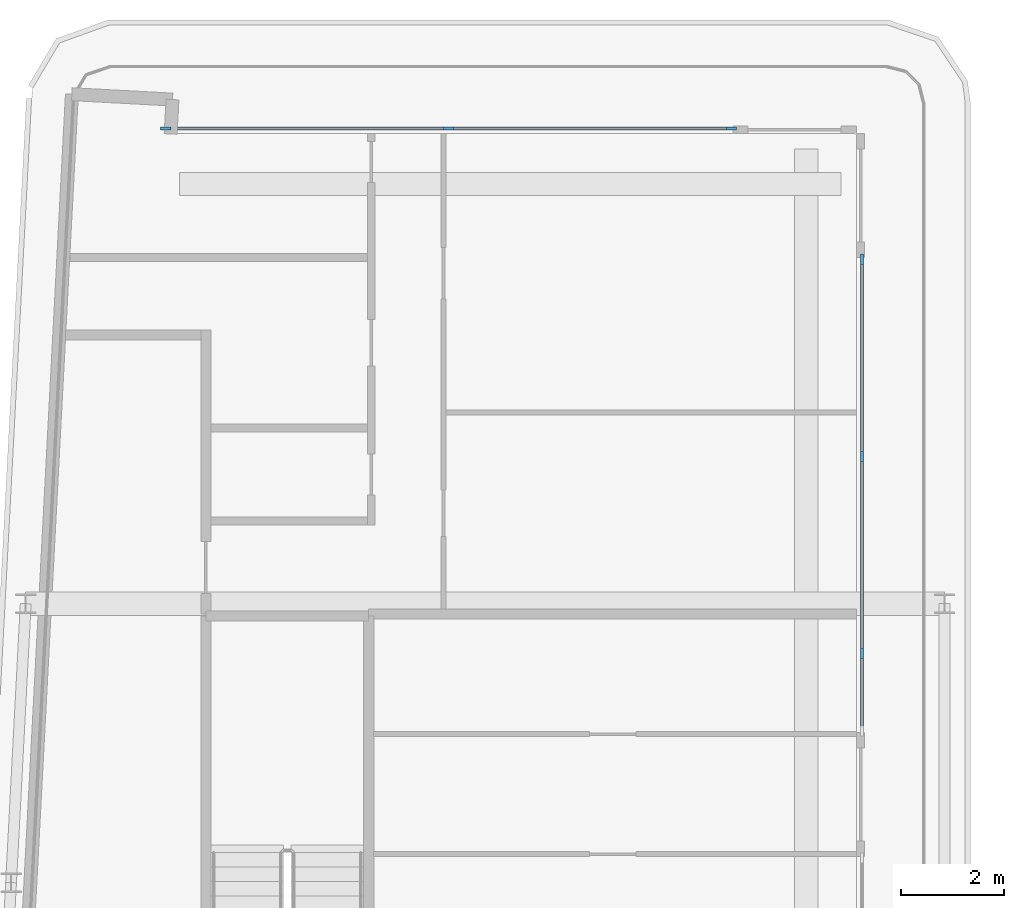
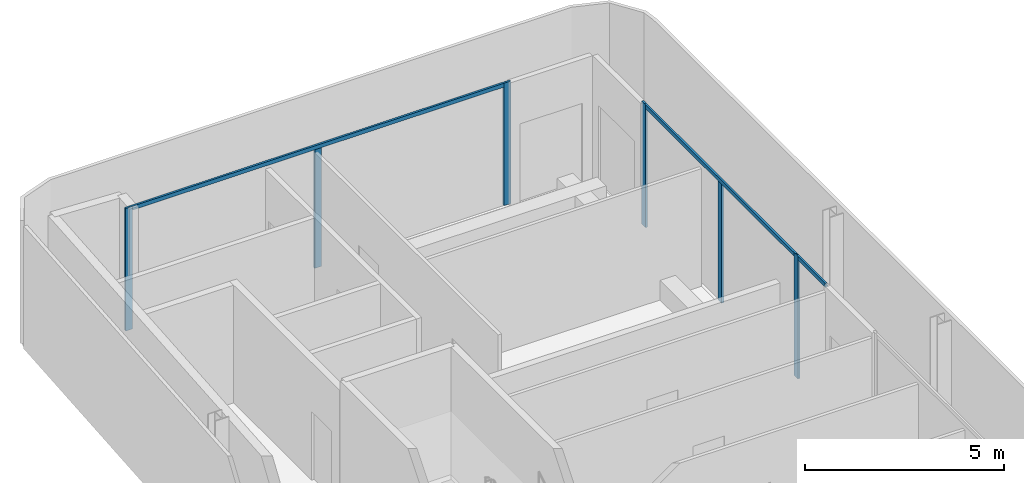
# One storey, part 8 of 20: 9 members, 3 elements without a shape of their own.
"""IFC4 building model written with IfcOpenShell, lengths in metres."""

import ifcopenshell
import ifcopenshell.guid

model = None  # the IFC model being written
_history = None  # IfcOwnerHistory: only IFC2X3 demands one
_inside = {}  # id of a spatial element -> (the spatial element, [elements in it])
_under = {}  # id of a project, library or spatial element -> (it, [spatial elements below it])
_declared = {}  # id of a project -> (the project, [libraries it declares])
_typed = {}  # id of a type object -> (the type object, [elements of that type])
_made_of = {}  # id of a material, layer set ... -> (it, [elements and type objects made of it])


def new_model(schema):
    """Start an empty IFC model of exactly this schema.

    Asked for "IFC4X3", IfcOpenShell would pick the latest addendum, in which some entities
    have other attributes; the version numbers below select the first issue.
    IFC2X3 requires an IfcOwnerHistory on every rooted entity: one is made here for all.
    """
    global model, _history
    if schema == "IFC4X3":
        model = ifcopenshell.file(schema_version=(4, 3, 0, 0))
    else:
        model = ifcopenshell.file(schema=schema)
    _inside.clear()
    _under.clear()
    _declared.clear()
    _typed.clear()
    _made_of.clear()
    _history = None
    if model.schema == "IFC2X3":
        org = make("IfcOrganization", Name="unknown")
        user = make(
            "IfcPersonAndOrganization",
            ThePerson=make("IfcPerson", FamilyName="unknown"),
            TheOrganization=org,
        )
        app = make(
            "IfcApplication",
            ApplicationDeveloper=org,
            Version="unknown",
            ApplicationFullName="unknown",
            ApplicationIdentifier="unknown",
        )
        _history = make(
            "IfcOwnerHistory",
            OwningUser=user,
            OwningApplication=app,
            ChangeAction="ADDED",
            CreationDate=0,
        )
    return model


def make(cls, **values):
    """One entity of the class cls with the attributes given. An attribute that is None is left unset."""
    return model.create_entity(
        cls, **{name: value for name, value in values.items() if value is not None}
    )


def rooted(cls, **values):
    """An entity with a GlobalId (a new one), such as an element, a storey or a relation."""
    return make(cls, GlobalId=ifcopenshell.guid.new(), OwnerHistory=_history, **values)


def si_unit(unit_type, name, prefix=None):
    """IfcSIUnit, for example si_unit("LENGTHUNIT", "METRE", prefix="MILLI")."""
    return make("IfcSIUnit", UnitType=unit_type, Prefix=prefix, Name=name)


def assignment(units):
    """IfcUnitAssignment: the units of a project."""
    return None if units is None else make("IfcUnitAssignment", Units=units)


def point(xyz):
    """IfcCartesianPoint."""
    return None if xyz is None else make("IfcCartesianPoint", Coordinates=xyz)


def direction(xyz):
    """IfcDirection."""
    return None if xyz is None else make("IfcDirection", DirectionRatios=xyz)


def frame(location, z_axis=None, x_axis=None):
    """IfcAxis2Placement3D, a coordinate frame: its origin and axes. An axis left out is left unset."""
    return make(
        "IfcAxis2Placement3D",
        Location=point(location),
        Axis=direction(z_axis),
        RefDirection=direction(x_axis),
    )


def frame_2d(location, x_axis=None):
    """IfcAxis2Placement2D, a coordinate frame in the plane: its origin and x axis."""
    return make(
        "IfcAxis2Placement2D", Location=point(location), RefDirection=direction(x_axis)
    )


def origin():
    """The frame at (0, 0, 0) with its axes left unset."""
    return frame((0.0, 0.0, 0.0))


def origin_2d():
    """The frame at (0, 0) in the plane with its x axis left unset."""
    return frame_2d((0.0, 0.0))


def place(relative_to, where):
    """IfcLocalPlacement: puts the frame where relative to a parent placement (None: the world)."""
    return make(
        "IfcLocalPlacement", PlacementRelTo=relative_to, RelativePlacement=where
    )


def context(
    kind, dimensions, precision=None, world=None, true_north=None, identifier=None
):
    """IfcGeometricRepresentationContext, for example the 3D "Model" context."""
    return make(
        "IfcGeometricRepresentationContext",
        ContextIdentifier=identifier,
        ContextType=kind,
        CoordinateSpaceDimension=dimensions,
        Precision=precision,
        WorldCoordinateSystem=world,
        TrueNorth=true_north,
    )


def subcontext(parent, identifier, kind, view, scale=None):
    """IfcGeometricRepresentationSubContext, for example "Body" below "Model"."""
    return make(
        "IfcGeometricRepresentationSubContext",
        ContextIdentifier=identifier,
        ContextType=kind,
        ParentContext=parent,
        TargetScale=scale,
        TargetView=view,
    )


def project(units=None, contexts=None):
    """IfcProject with its units and contexts."""
    return rooted(
        "IfcProject",
        Name="project",
        RepresentationContexts=contexts,
        UnitsInContext=assignment(units),
    )


def spatial(cls, under=None, at=None, **own):
    """A site, building, storey or space (cls), placed at a placement, below another one or the project."""
    s = rooted(cls, ObjectPlacement=at, **own)
    if under is not None:
        _under.setdefault(under.id(), (under, []))[1].append(s)
    return s


def profile(cls, at=None, kind="AREA", **sizes):
    """A parametric profile (cls). Its sizes go by their IFC names, for example OverallWidth=200.0."""
    return make(cls, ProfileType=kind, Position=at, **sizes)


def rectangle(**sizes):
    """IfcRectangleProfileDef."""
    return profile("IfcRectangleProfileDef", **sizes)


def extrude(swept, where, along, depth):
    """IfcExtrudedAreaSolid: the profile swept, set in the frame where, extruded along a direction by depth."""
    return make(
        "IfcExtrudedAreaSolid",
        SweptArea=swept,
        Position=where,
        ExtrudedDirection=direction(along),
        Depth=depth,
    )


def shape(context_of_items, identifier, shape_type, items):
    """IfcShapeRepresentation: the items that make up one representation, for example the "Body"."""
    return make(
        "IfcShapeRepresentation",
        ContextOfItems=context_of_items,
        RepresentationIdentifier=identifier,
        RepresentationType=shape_type,
        Items=items,
    )


def material(Name=None, Category=None):
    """IfcMaterial."""
    return make("IfcMaterial", Name=Name, Category=Category)


def layer(
    of_material, thickness, ventilated=None, Name=None, Category=None, Priority=None
):
    """IfcMaterialLayer: one layer of a wall or slab, of a material (None: an air gap)."""
    return make(
        "IfcMaterialLayer",
        Material=of_material,
        LayerThickness=thickness,
        IsVentilated=ventilated,
        Name=Name,
        Category=Category,
        Priority=Priority,
    )


def layer_set(layers, Name=None):
    """IfcMaterialLayerSet."""
    return make("IfcMaterialLayerSet", MaterialLayers=layers, LayerSetName=Name)


def material_profile(
    of_material, cross_section, Name=None, Category=None, Priority=None
):
    """IfcMaterialProfile: a cross section and its material."""
    return make(
        "IfcMaterialProfile",
        Name=Name,
        Material=of_material,
        Profile=cross_section,
        Priority=Priority,
        Category=Category,
    )


def profile_set(profiles, Name=None, composite=None):
    """IfcMaterialProfileSet."""
    return make(
        "IfcMaterialProfileSet",
        Name=Name,
        MaterialProfiles=profiles,
        CompositeProfile=composite,
    )


def made_of(thing, what):
    """Note that an element or type object is made of a material, layer set ...; save() writes the relation."""
    if what is not None:
        _made_of.setdefault(what.id(), (what, []))[1].append(thing)
    return thing


def type_object(cls, material=None, **own):
    """A type object (cls), such as IfcWallType, which elements share."""
    return made_of(rooted(cls, **own), material)


def element(
    cls,
    number,
    at=None,
    inside=None,
    cuts=None,
    type_object=None,
    material=None,
    context=None,
    identifier="Body",
    shape_type=None,
    held_by="IfcProductDefinitionShape",
    body=None,
    shapes=None,
    **own,
):
    """One element of the class cls, such as IfcWall. Its Tag is "e" and its number.

    at: its placement. inside: the storey or other place that contains it. cuts: it is an
    opening in that element (IfcRelVoidsElement). A single representation is given by context,
    identifier, shape_type and body (its items); several are given by shapes. held_by: the class
    of the entity that holds the representations. save() writes the other relations.
    """
    e = rooted(cls, Tag="e%d" % number, ObjectPlacement=at, **own)
    if body is not None:
        shapes = [shape(context, identifier, shape_type, body)]
    if shapes is not None:
        e.Representation = make(held_by, Representations=shapes)
    if inside is not None:
        _inside.setdefault(inside.id(), (inside, []))[1].append(e)
    if cuts is not None:
        rooted(
            "IfcRelVoidsElement", RelatingBuildingElement=cuts, RelatedOpeningElement=e
        )
    if type_object is not None:
        _typed.setdefault(type_object.id(), (type_object, []))[1].append(e)
    return made_of(e, material)


def aggregate(whole, parts):
    """IfcRelAggregates: a whole, such as a stair, and the parts it consists of."""
    return rooted("IfcRelAggregates", RelatingObject=whole, RelatedObjects=parts)


def save(model, path):
    """Write the relations noted so far, then the file.

    IfcRelAggregates (storeys below a building ...), IfcRelContainedInSpatialStructure (elements
    in a storey), IfcRelDefinesByType, IfcRelAssociatesMaterial and IfcRelDeclares: one each for
    every whole, place, type object, material and project.
    """
    for whole, parts in _under.values():
        aggregate(whole, parts)
    for where, things in _inside.values():
        rooted(
            "IfcRelContainedInSpatialStructure",
            RelatedElements=things,
            RelatingStructure=where,
        )
    for kind, things in _typed.values():
        rooted("IfcRelDefinesByType", RelatedObjects=things, RelatingType=kind)
    for what, things in _made_of.values():
        rooted("IfcRelAssociatesMaterial", RelatedObjects=things, RelatingMaterial=what)
    for by, libraries in _declared.values():
        rooted("IfcRelDeclares", RelatingContext=by, RelatedDefinitions=libraries)
    model.write(path)


model = new_model("IFC4")

# Units and contexts
model_context = context("Model", 3, precision=1e-05, world=origin(), true_north=direction((0.0, 1.0)))
body_context = subcontext(model_context, "Body", "Model", "MODEL_VIEW")
ifc_project = project(units=[si_unit("LENGTHUNIT", "METRE"), si_unit("AREAUNIT", "SQUARE_METRE"), si_unit("VOLUMEUNIT", "CUBIC_METRE"), si_unit("PLANEANGLEUNIT", "RADIAN"), si_unit("MASSUNIT", "GRAM", prefix="KILO")], contexts=[model_context])

# Site, building, storey
site_placement = place(None, origin())
site = spatial("IfcSite", under=ifc_project, at=site_placement, CompositionType="ELEMENT")
building_placement = place(site_placement, origin())
building = spatial("IfcBuilding", under=site, at=building_placement, Name="Kheshtan School and Residences Tower", CompositionType="ELEMENT")
storey_placement = place(building_placement, frame((0.0, 0.0, 286.39990234375)))
storey = spatial("IfcBuildingStorey", under=building, at=storey_placement, Name="L67", CompositionType="ELEMENT", Elevation=286.39990234375)

# Curtain wall, members
ifc_material_1 = material(Name="Clear low-e glass in thermally broken aluminium frame", Category="aluminium")
ifc_layer = layer(ifc_material_1, 0.199951171875)
ifc_layer_set = layer_set([ifc_layer], Name="Curtain wall CW-L")
curtain_wall_type = type_object("IfcCurtainWallType", Name="Curtain wall CW-L", PredefinedType="NOTDEFINED", material=ifc_layer_set)
curtain_wall_1_placement = place(storey_placement, origin())
curtain_wall_1 = element("IfcCurtainWall", 1, at=curtain_wall_1_placement, inside=storey, type_object=curtain_wall_type, Name="Curtain wall CWL7", PredefinedType="NOTDEFINED")
ifc_material_2 = material(Name="Thermally broken aluminium, dark bronze anodised", Category="aluminium")
ifc_material_profile_1 = material_profile(ifc_material_2, rectangle(XDim=0.06005859375, YDim=0.199951171875, at=origin_2d()), Name="CW-L mullion 60x200")
ifc_profile_set_1 = profile_set([ifc_material_profile_1], Name="Thermally broken aluminium, dark bronze anodised")
member_type_1 = type_object("IfcMemberType", Name="CW-L mullion 60x200", PredefinedType="MULLION", material=ifc_profile_set_1)
member_1_placement = place(storey_placement, frame((32.52197265625, 98.0, 0.0), z_axis=(0.0, 0.0, 1.0), x_axis=(0.0, 1.0, 0.0)))
member_1 = element("IfcMember", 2, at=member_1_placement, type_object=member_type_1, Name="CWL7 mullion 1", PredefinedType="MULLION", context=body_context, shape_type="SweptSolid", body=[
    extrude(rectangle(XDim=0.06005859375, YDim=0.199951171875, at=origin_2d()), origin(), (0.0, 0.0, 1.0), 3.75),
])
member_2_placement = place(storey_placement, frame((37.99609375, 98.0, 0.0), z_axis=(0.0, 0.0, 1.0), x_axis=(0.0, 1.0, 0.0)))
member_2 = element("IfcMember", 3, at=member_2_placement, type_object=member_type_1, Name="CWL7 mullion 2", PredefinedType="MULLION", context=body_context, shape_type="SweptSolid", body=[
    extrude(rectangle(XDim=0.06005859375, YDim=0.199951171875, at=origin_2d()), origin(), (0.0, 0.0, 1.0), 3.630126953125),
])
member_3_placement = place(storey_placement, frame((43.469970703125, 98.0, 0.0), z_axis=(0.0, 0.0, 1.0), x_axis=(0.0, 1.0, 0.0)))
member_3 = element("IfcMember", 4, at=member_3_placement, type_object=member_type_1, Name="CWL7 mullion 3", PredefinedType="MULLION", context=body_context, shape_type="SweptSolid", body=[
    extrude(rectangle(XDim=0.06005859375, YDim=0.199951171875, at=origin_2d()), origin(), (0.0, 0.0, 1.0), 3.75),
])

curtain_wall_2_placement = place(storey_placement, origin())
curtain_wall_2 = element("IfcCurtainWall", 5, at=curtain_wall_2_placement, inside=storey, type_object=curtain_wall_type, Name="Curtain wall CWL8", PredefinedType="NOTDEFINED")
member_4_placement = place(storey_placement, frame((46.0, 95.469970703125, 0.0), z_axis=(0.0, 0.0, 1.0), x_axis=(1.0, 0.0, 0.0)))
member_4 = element("IfcMember", 6, at=member_4_placement, type_object=member_type_1, Name="CWL8 mullion 1", PredefinedType="MULLION", context=body_context, shape_type="SweptSolid", body=[
    extrude(rectangle(XDim=0.06005859375, YDim=0.199951171875, at=origin_2d()), origin(), (0.0, 0.0, 1.0), 3.75),
])
member_5_placement = place(storey_placement, frame((46.0, 91.653076171875, 0.0), z_axis=(0.0, 0.0, 1.0), x_axis=(1.0, 0.0, 0.0)))
member_5 = element("IfcMember", 7, at=member_5_placement, type_object=member_type_1, Name="CWL8 mullion 2", PredefinedType="MULLION", context=body_context, shape_type="SweptSolid", body=[
    extrude(rectangle(XDim=0.06005859375, YDim=0.199951171875, at=origin_2d()), origin(), (0.0, 0.0, 1.0), 3.630126953125),
])
member_6_placement = place(storey_placement, frame((46.0, 87.8359375, 0.0), z_axis=(0.0, 0.0, 1.0), x_axis=(1.0, 0.0, 0.0)))
member_6 = element("IfcMember", 8, at=member_6_placement, type_object=member_type_1, Name="CWL8 mullion 3", PredefinedType="MULLION", context=body_context, shape_type="SweptSolid", body=[
    extrude(rectangle(XDim=0.06005859375, YDim=0.199951171875, at=origin_2d()), origin(), (0.0, 0.0, 1.0), 3.75),
])

# Member
ifc_material_profile_2 = material_profile(ifc_material_2, rectangle(XDim=0.06005859375, YDim=0.1201171875, at=origin_2d()), Name="CW-L transom 60x120")
ifc_profile_set_2 = profile_set([ifc_material_profile_2], Name="Thermally broken aluminium, dark bronze anodised")
member_type_2 = type_object("IfcMemberType", Name="CW-L transom 60x120", PredefinedType="USERDEFINED", material=ifc_profile_set_2)
member_7_placement = place(storey_placement, frame((32.552001953125, 98.0, 3.690185546875), z_axis=(1.0, 0.0, 0.0), x_axis=(0.0, 1.0, 0.0)))
member_7 = element("IfcMember", 9, at=member_7_placement, type_object=member_type_2, Name="CWL7 transom 1", ObjectType="TRANSOM", PredefinedType="USERDEFINED", context=body_context, shape_type="SweptSolid", body=[
    extrude(rectangle(XDim=0.06005859375, YDim=0.1201171875, at=origin_2d()), origin(), (0.0, 0.0, 1.0), 10.887939453125),
])

aggregate(curtain_wall_1, [member_1, member_2, member_3, member_7])

member_8_placement = place(storey_placement, frame((46.0, 95.43994140625, 3.690185546875), z_axis=(0.0, -1.0, 0.0), x_axis=(1.0, 0.0, 0.0)))
member_8 = element("IfcMember", 10, at=member_8_placement, type_object=member_type_2, Name="CWL8 transom 1", ObjectType="TRANSOM", PredefinedType="USERDEFINED", context=body_context, shape_type="SweptSolid", body=[
    extrude(rectangle(XDim=0.06005859375, YDim=0.1201171875, at=origin_2d()), origin(), (0.0, 0.0, 1.0), 7.573974609375),
])

aggregate(curtain_wall_2, [member_4, member_5, member_6, member_8])

# Curtain wall, member
curtain_wall_3_placement = place(storey_placement, origin())
curtain_wall_3 = element("IfcCurtainWall", 11, at=curtain_wall_3_placement, inside=storey, type_object=curtain_wall_type, Name="Curtain wall CWL8a", PredefinedType="NOTDEFINED")
member_9_placement = place(storey_placement, frame((46.0, 87.805908203125, 3.690185546875), z_axis=(0.0, -1.0, 0.0), x_axis=(1.0, 0.0, 0.0)))
member_9 = element("IfcMember", 12, at=member_9_placement, type_object=member_type_2, Name="CWL8a transom 1", ObjectType="TRANSOM", PredefinedType="USERDEFINED", context=body_context, shape_type="SweptSolid", body=[
    extrude(rectangle(XDim=0.06005859375, YDim=0.1201171875, at=origin_2d()), origin(), (0.0, 0.0, 1.0), 1.43994140625),
])
aggregate(curtain_wall_3, [member_9])

save(model, "model.ifc")
